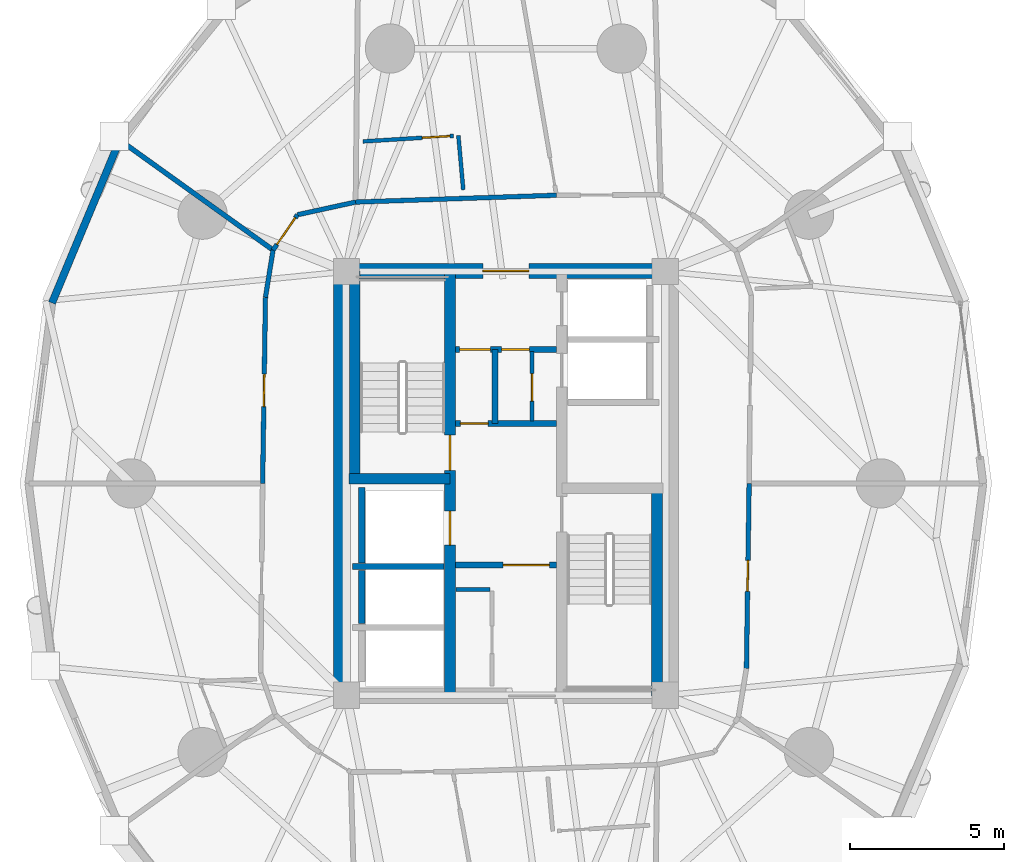
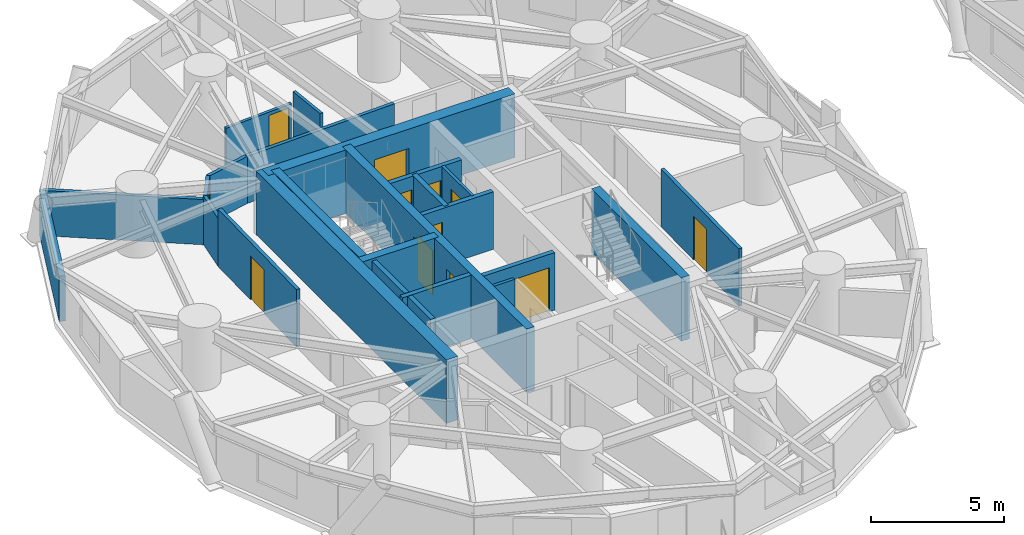
# One storey, part 11 of 19: 25 walls, 12 doors, 12 openings.
"""IFC4 building model written with IfcOpenShell, lengths in metres."""

from ifc_helpers import new_model, si_unit, direction, frame, frame_2d, origin, place, context, subcontext, project, spatial, rectangle, extrude, source, transform, mapped, material, layer, layer_set, type_object, element, fill, save


model = new_model("IFC4")

# Units and contexts
model_context = context("Model", 3, precision=1e-05, world=origin(), true_north=direction((0.0, 1.0)))
body_context = subcontext(model_context, "Body", "Model", "MODEL_VIEW")
ifc_project = project(units=[si_unit("LENGTHUNIT", "METRE"), si_unit("AREAUNIT", "SQUARE_METRE"), si_unit("VOLUMEUNIT", "CUBIC_METRE"), si_unit("PLANEANGLEUNIT", "RADIAN"), si_unit("MASSUNIT", "GRAM", prefix="KILO")], contexts=[model_context])

# Site, building, storey
site_placement = place(None, origin())
site = spatial("IfcSite", under=ifc_project, at=site_placement, CompositionType="ELEMENT")
building_placement = place(site_placement, origin())
building = spatial("IfcBuilding", under=site, at=building_placement, Name="Cununo Teusaquillo Station Towers", CompositionType="ELEMENT")
storey_placement = place(building_placement, frame((0.0, 0.0, 30.72998046875)))
storey = spatial("IfcBuildingStorey", under=building, at=storey_placement, Name="L08", CompositionType="ELEMENT", Elevation=30.72998046875)

# Walls
ifc_material_1 = material(Name="Concrete C50/60", Category="concrete")
ifc_layer_1 = layer(ifc_material_1, 0.199951171875)
ifc_layer_set_1 = layer_set([ifc_layer_1], Name="Concrete C50/60")
wall_type_1 = type_object("IfcWallType", Name="WL-CORE-200", PredefinedType="SHEAR", material=ifc_layer_set_1)
wall_1_placement = place(storey_placement, frame((11.52001953125, 21.800048828125, 0.0), z_axis=(0.0, 0.0, 1.0), x_axis=(1.0, 0.0, 0.0)))
element("IfcWall", 1, at=wall_1_placement, inside=storey, type_object=wall_type_1, Name="L08 Tower A Firefighting Lift Shaft South Shear Wall", PredefinedType="SHEAR", context=body_context, shape_type="SweptSolid", body=[
    extrude(rectangle(XDim=2.969970703125, YDim=0.199951171875, at=frame_2d((1.48486328125, 0.0))), origin(), (0.0, 0.0, 1.0), 2.909912109375),
])
wall_2_placement = place(storey_placement, frame((11.820068359375, 21.919921875, 0.0), z_axis=(0.0, 0.0, 1.0), x_axis=(0.0, 1.0, 0.0)))
element("IfcWall", 2, at=wall_2_placement, inside=storey, type_object=wall_type_1, Name="L08 Tower A Firefighting Lift Shaft Rear Shear Wall", PredefinedType="SHEAR", context=body_context, shape_type="SweptSolid", body=[
    extrude(rectangle(XDim=2.440185546875, YDim=0.199951171875, at=frame_2d((1.22021484375, 0.0))), origin(), (0.0, 0.0, 1.0), 2.909912109375),
])
wall_3_placement = place(storey_placement, frame((11.820068359375, 19.945068359375, 0.0), z_axis=(0.0, 0.0, 1.0), x_axis=(0.0, 1.0, 0.0)))
element("IfcWall", 3, at=wall_3_placement, inside=storey, type_object=wall_type_1, Name="L08 Tower A High-Rise Lift 2 Shaft Rear Shear Wall", PredefinedType="SHEAR", context=body_context, shape_type="SweptSolid", body=[
    extrude(rectangle(XDim=1.73486328125, YDim=0.199951171875, at=frame_2d((0.867431640625, 0.0))), origin(), (0.0, 0.0, 1.0), 2.909912109375),
])

# Wall, openings, doors
ifc_material_2 = material(Name="Concrete C50/60", Category="concrete")
ifc_layer_2 = layer(ifc_material_2, 0.35009765625)
ifc_layer_set_2 = layer_set([ifc_layer_2], Name="Concrete C50/60")
wall_type_2 = type_object("IfcWallType", Name="WL-CORE-350", PredefinedType="SHEAR", material=ifc_layer_set_2)
wall_4_placement = place(storey_placement, frame((14.68505859375, 17.60009765625, 0.0), z_axis=(0.0, 0.0, 1.0), x_axis=(0.0, 1.0, 0.0)))
wall_4 = element("IfcWall", 4, at=wall_4_placement, inside=storey, type_object=wall_type_2, Name="L08 Tower A Core Shear Wall IW", PredefinedType="SHEAR", context=body_context, shape_type="SweptSolid", body=[
    extrude(rectangle(XDim=13.7998046875, YDim=0.35009765625, at=frame_2d((6.89990234375, 0.0))), origin(), (0.0, 0.0, 1.0), 2.909912109375),
])
shared_shape_1 = source(origin(), body_context, "Body", "SweptSolid", [
    extrude(rectangle(XDim=1.10009765625, YDim=2.014892578125, at=frame_2d((0.550048828125, 1.00732421875))), frame((0.0, 0.18505859375, 0.0), z_axis=(0.0, -1.0, 0.0), x_axis=(1.0, 0.0, 0.0)), (0.0, 0.0, 1.0), 0.3701171875),
])
opening_1_placement = place(wall_4_placement, frame((4.89990234375, 0.0, 0.0)))
opening_1 = element("IfcOpeningElement", 5, at=opening_1_placement, cuts=wall_4, Name="Opening LD-01", PredefinedType="OPENING", context=body_context, shape_type="MappedRepresentation", body=[
    mapped(shared_shape_1, transform((0.0, 0.0, 0.0), x_axis=(1.0, 0.0, 0.0), y_axis=(0.0, 1.0, 0.0), z_axis=(0.0, 0.0, 1.0), scale=1.0)),
])
shared_shape_2 = source(origin(), body_context, "Body", "SweptSolid", [
    extrude(rectangle(XDim=1.14990234375, YDim=2.02001953125, at=frame_2d((0.574951171875, 1.010009765625))), frame((0.0, 0.18505859375, 0.0), z_axis=(0.0, -1.0, 0.0), x_axis=(1.0, 0.0, 0.0)), (0.0, 0.0, 1.0), 0.3701171875),
])
opening_2_placement = place(wall_4_placement, frame((7.320068359375, 0.0, 0.0)))
opening_2 = element("IfcOpeningElement", 6, at=opening_2_placement, cuts=wall_4, Name="Opening D-ST1", PredefinedType="OPENING", context=body_context, shape_type="MappedRepresentation", body=[
    mapped(shared_shape_2, transform((0.0, 0.0, 0.0), x_axis=(1.0, 0.0, 0.0), y_axis=(0.0, 1.0, 0.0), z_axis=(0.0, 0.0, 1.0), scale=1.0)),
])
ifc_material_3 = material(Name="Galvanised fire-rated hollow steel door assembly", Category="steel")
door_type_1 = type_object("IfcDoorType", Name="DR-LIFT-1100", OperationType="SLIDING_TO_LEFT", PredefinedType="DOOR", material=ifc_material_3)
shared_shape_3 = source(origin(), body_context, "Body", "SweptSolid", [
    extrude(rectangle(XDim=1.10009765625, YDim=2.014892578125, at=frame_2d((0.550048828125, 1.00732421875))), frame((0.0, 0.02490234375, 0.0), z_axis=(0.0, -1.0, 0.0), x_axis=(1.0, 0.0, 0.0)), (0.0, 0.0, 1.0), 0.050048828125),
])
door_1_placement = place(opening_1_placement, origin())
door_1 = element("IfcDoor", 7, at=door_1_placement, inside=storey, type_object=door_type_1, Name="L08 Lift FL-T1 Sliding Landing Door", OperationType="SLIDING_TO_LEFT", OverallHeight=2.014892578125, OverallWidth=1.10009765625, PredefinedType="DOOR", context=body_context, shape_type="MappedRepresentation", body=[
    mapped(shared_shape_3, transform((0.0, 0.0, 0.0), x_axis=(1.0, 0.0, 0.0), y_axis=(0.0, 1.0, 0.0), z_axis=(0.0, 0.0, 1.0), scale=1.0)),
])
fill(opening_1, door_1)
ifc_material_4 = material(Name="Galvanised fire-rated hollow steel door assembly", Category="steel")
door_type_2 = type_object("IfcDoorType", Name="DR-STAIR-1150", OperationType="NOTDEFINED", PredefinedType="DOOR", material=ifc_material_4)
shared_shape_4 = source(origin(), body_context, "Body", "SweptSolid", [
    extrude(rectangle(XDim=1.14990234375, YDim=2.02001953125, at=frame_2d((0.574951171875, 1.010009765625))), frame((0.0, 0.02490234375, 0.0), z_axis=(0.0, -1.0, 0.0), x_axis=(1.0, 0.0, 0.0)), (0.0, 0.0, 1.0), 0.050048828125),
])
door_2_placement = place(opening_2_placement, origin())
door_2 = element("IfcDoor", 8, at=door_2_placement, inside=storey, type_object=door_type_2, Name="L08 Tower A Exit Stair 1 Fire Door", OperationType="SINGLE_SWING_RIGHT", OverallHeight=2.02001953125, OverallWidth=1.14990234375, PredefinedType="DOOR", context=body_context, shape_type="MappedRepresentation", body=[
    mapped(shared_shape_4, transform((0.0, 0.0, 0.0), x_axis=(1.0, 0.0, 0.0), y_axis=(0.0, 1.0, 0.0), z_axis=(0.0, 0.0, 1.0), scale=1.0)),
])
fill(opening_2, door_2)

# Walls
wall_5_placement = place(storey_placement, frame((11.594970703125, 24.655029296875, 0.0), z_axis=(0.0, 0.0, 1.0), x_axis=(0.0, 1.0, 0.0)))
element("IfcWall", 9, at=wall_5_placement, inside=storey, type_object=wall_type_2, Name="L08 Tower A Core Shear Wall ST1W", PredefinedType="SHEAR", context=body_context, shape_type="SweptSolid", body=[
    extrude(rectangle(XDim=6.744873046875, YDim=0.35009765625, at=frame_2d((3.37255859375, 0.0))), origin(), (0.0, 0.0, 1.0), 2.909912109375),
])
wall_6_placement = place(storey_placement, frame((11.39990234375, 24.655029296875, 0.0), z_axis=(0.0, 0.0, 1.0), x_axis=(1.0, 0.0, 0.0)))
element("IfcWall", 10, at=wall_6_placement, inside=storey, type_object=wall_type_2, Name="L08 Tower A Core Shear Wall ST1S", PredefinedType="SHEAR", context=body_context, shape_type="SweptSolid", body=[
    extrude(rectangle(XDim=3.28515625, YDim=0.35009765625, at=frame_2d((1.642578125, 0.0))), origin(), (0.0, 0.0, 1.0), 2.909912109375),
])
wall_7_placement = place(storey_placement, frame((21.405029296875, 17.60009765625, 0.0), z_axis=(0.0, 0.0, 1.0), x_axis=(0.0, 1.0, 0.0)))
element("IfcWall", 11, at=wall_7_placement, inside=storey, type_object=wall_type_2, Name="L08 Tower A Core Shear Wall ST2E", PredefinedType="SHEAR", context=body_context, shape_type="SweptSolid", body=[
    extrude(rectangle(XDim=6.744873046875, YDim=0.35009765625, at=frame_2d((3.37255859375, 0.0))), origin(), (0.0, 0.0, 1.0), 2.909912109375),
])
ifc_material_5 = material(Name="Concrete C60/75", Category="concrete")
ifc_layer_3 = layer(ifc_material_5, 0.5)
ifc_layer_set_3 = layer_set([ifc_layer_3], Name="Concrete C60/75")
wall_type_3 = type_object("IfcWallType", Name="WL-CORE-500", PredefinedType="SHEAR", material=ifc_layer_set_3)
wall_8_placement = place(storey_placement, frame((11.14990234375, 17.35009765625, 0.0), z_axis=(0.0, 0.0, 1.0), x_axis=(0.0, 1.0, 0.0)))
element("IfcWall", 12, at=wall_8_placement, inside=storey, type_object=wall_type_3, Name="L08 Tower A Core Shear Wall W", PredefinedType="SHEAR", context=body_context, shape_type="SweptSolid", body=[
    extrude(rectangle(XDim=14.2998046875, YDim=0.5, at=frame_2d((7.14990234375, 0.0))), origin(), (0.0, 0.0, 1.0), 2.909912109375),
])

# Wall, opening, door
wall_9_placement = place(storey_placement, frame((11.14990234375, 31.39990234375, 0.0), z_axis=(0.0, 0.0, 1.0), x_axis=(1.0, 0.0, 0.0)))
wall_9 = element("IfcWall", 13, at=wall_9_placement, inside=storey, type_object=wall_type_3, Name="L08 Tower A Core Shear Wall N", PredefinedType="SHEAR", context=body_context, shape_type="SweptSolid", body=[
    extrude(rectangle(XDim=10.7001953125, YDim=0.5, at=frame_2d((5.35009765625, 0.0))), origin(), (0.0, 0.0, 1.0), 2.909912109375),
])
shared_shape_5 = source(origin(), body_context, "Body", "SweptSolid", [
    extrude(rectangle(XDim=1.5, YDim=2.02001953125, at=frame_2d((0.75, 1.010009765625))), frame((0.0, 0.260009765625, 0.0), z_axis=(0.0, -1.0, 0.0), x_axis=(1.0, 0.0, 0.0)), (0.0, 0.0, 1.0), 0.52001953125),
])
opening_3_placement = place(wall_9_placement, frame((4.60009765625, 0.0, 0.0)))
opening_3 = element("IfcOpeningElement", 14, at=opening_3_placement, cuts=wall_9, Name="Opening D-LB1", PredefinedType="OPENING", context=body_context, shape_type="MappedRepresentation", body=[
    mapped(shared_shape_5, transform((0.0, 0.0, 0.0), x_axis=(1.0, 0.0, 0.0), y_axis=(0.0, 1.0, 0.0), z_axis=(0.0, 0.0, 1.0), scale=1.0)),
])
ifc_material_6 = material(Name="Galvanised fire-rated hollow steel door assembly", Category="steel")
door_type_3 = type_object("IfcDoorType", Name="DR-LOBBY-1500", OperationType="DOUBLE_DOOR_SINGLE_SWING", PredefinedType="DOOR", material=ifc_material_6)
shared_shape_6 = source(origin(), body_context, "Body", "SweptSolid", [
    extrude(rectangle(XDim=1.5, YDim=2.02001953125, at=frame_2d((0.75, 1.010009765625))), frame((0.0, 0.02490234375, 0.0), z_axis=(0.0, -1.0, 0.0), x_axis=(1.0, 0.0, 0.0)), (0.0, 0.0, 1.0), 0.050048828125),
])
door_3_placement = place(opening_3_placement, origin())
door_3 = element("IfcDoor", 15, at=door_3_placement, inside=storey, type_object=door_type_3, Name="L08 Tower A North Core Lift Lobby Door", OperationType="DOUBLE_DOOR_SINGLE_SWING", OverallHeight=2.02001953125, OverallWidth=1.5, PredefinedType="DOOR", context=body_context, shape_type="MappedRepresentation", body=[
    mapped(shared_shape_6, transform((0.0, 0.0, 0.0), x_axis=(1.0, 0.0, 0.0), y_axis=(0.0, 1.0, 0.0), z_axis=(0.0, 0.0, 1.0), scale=1.0)),
])
fill(opening_3, door_3)

# Walls
ifc_material_7 = material(Name="Precast concrete C40/50", Category="concrete")
ifc_layer_4 = layer(ifc_material_7, 0.239990234375)
ifc_layer_set_4 = layer_set([ifc_layer_4], Name="Precast concrete C40/50")
wall_type_4 = type_object("IfcWallType", Name="WL-EXT-240", PredefinedType="SOLIDWALL", material=ifc_layer_set_4)
wall_10_placement = place(storey_placement, frame((1.759521484375, 30.362060546875, 0.0), z_axis=(0.0, 0.0, 1.0), x_axis=(0.38430970593, 0.923204229804, 0.0)))
element("IfcWall", 16, at=wall_10_placement, inside=storey, type_object=wall_type_4, Name="L08 Tower A Exterior Facade Wall C08", PredefinedType="SOLIDWALL", context=body_context, shape_type="SweptSolid", body=[
    extrude(rectangle(XDim=5.728271484375, YDim=0.239990234375, at=frame_2d((2.8642578125, 0.0))), origin(), (0.0, 0.0, 1.0), 2.072998046875),
])
ifc_material_8 = material(Name="Fire-rated gypsum plasterboard partition assembly", Category="gypsum")
ifc_layer_5 = layer(ifc_material_8, 0.125)
ifc_layer_set_5 = layer_set([ifc_layer_5], Name="Fire-rated gypsum plasterboard partition assembly")
wall_type_5 = type_object("IfcWallType", Name="WL-PART-125", PredefinedType="PARTITIONING", material=ifc_layer_set_5)
wall_11_placement = place(storey_placement, frame((14.8798828125, 21.050048828125, 0.0), z_axis=(0.0, 0.0, 1.0), x_axis=(1.0, 0.0, 0.0)))
element("IfcWall", 17, at=wall_11_placement, inside=storey, type_object=wall_type_5, Name="L08 Tower A South-West Tall Store North Wall", PredefinedType="PARTITIONING", context=body_context, shape_type="SweptSolid", body=[
    extrude(rectangle(XDim=1.10009765625, YDim=0.125, at=frame_2d((0.550048828125, 0.0))), origin(), (0.0, 0.0, 1.0), 2.635009765625),
])

# Wall, opening, door
wall_12_placement = place(storey_placement, frame((17.35009765625, 26.52001953125, 0.0), z_axis=(0.0, 0.0, 1.0), x_axis=(0.0, 1.0, 0.0)))
wall_12 = element("IfcWall", 18, at=wall_12_placement, inside=storey, type_object=wall_type_5, Name="L08 Tower A Core Vertical Split Wall", PredefinedType="PARTITIONING", context=body_context, shape_type="SweptSolid", body=[
    extrude(rectangle(XDim=2.260009765625, YDim=0.125, at=frame_2d((1.1298828125, 0.0))), origin(), (0.0, 0.0, 1.0), 2.635009765625),
])
shared_shape_7 = source(origin(), body_context, "Body", "SweptSolid", [
    extrude(rectangle(XDim=0.89990234375, YDim=2.0048828125, at=frame_2d((0.449951171875, 1.00244140625))), frame((0.0, 0.072509765625, 0.0), z_axis=(0.0, -1.0, 0.0), x_axis=(1.0, 0.0, 0.0)), (0.0, 0.0, 1.0), 0.14501953125),
])
opening_4_placement = place(wall_12_placement, frame((0.64990234375, 0.0, 0.0)))
opening_4 = element("IfcOpeningElement", 19, at=opening_4_placement, cuts=wall_12, Name="Opening D-SR1", PredefinedType="OPENING", context=body_context, shape_type="MappedRepresentation", body=[
    mapped(shared_shape_7, transform((0.0, 0.0, 0.0), x_axis=(1.0, 0.0, 0.0), y_axis=(0.0, 1.0, 0.0), z_axis=(0.0, 0.0, 1.0), scale=1.0)),
])
ifc_material_9 = material(Name="Galvanised fire-rated hollow steel door assembly", Category="steel")
door_type_4 = type_object("IfcDoorType", Name="DR-STORE-900", OperationType="NOTDEFINED", PredefinedType="DOOR", material=ifc_material_9)
shared_shape_8 = source(origin(), body_context, "Body", "SweptSolid", [
    extrude(rectangle(XDim=0.89990234375, YDim=2.0048828125, at=frame_2d((0.449951171875, 1.00244140625))), frame((0.0, 0.02490234375, 0.0), z_axis=(0.0, -1.0, 0.0), x_axis=(1.0, 0.0, 0.0)), (0.0, 0.0, 1.0), 0.050048828125),
])
door_4_placement = place(opening_4_placement, origin())
door_4 = element("IfcDoor", 20, at=door_4_placement, inside=storey, type_object=door_type_4, Name="L08 Tower A Core Electrical Room Door", OperationType="SINGLE_SWING_RIGHT", OverallHeight=2.0048828125, OverallWidth=0.89990234375, PredefinedType="DOOR", context=body_context, shape_type="MappedRepresentation", body=[
    mapped(shared_shape_8, transform((0.0, 0.0, 0.0), x_axis=(1.0, 0.0, 0.0), y_axis=(0.0, 1.0, 0.0), z_axis=(0.0, 0.0, 1.0), scale=1.0)),
])
fill(opening_4, door_4)

# Wall
wall_13_placement = place(storey_placement, frame((15.116943359375, 34.03515625, 0.0), z_axis=(0.0, 0.0, 1.0), x_axis=(-0.090498430303, 0.995896598103, 0.0)))
element("IfcWall", 21, at=wall_13_placement, inside=storey, type_object=wall_type_5, Name="L08 Tower A S03 En-suite Side Wall", PredefinedType="PARTITIONING", context=body_context, shape_type="SweptSolid", body=[
    extrude(rectangle(XDim=1.769775390625, YDim=0.125, at=frame_2d((0.884765625, 0.0))), origin(), (0.0, 0.0, 1.0), 2.635009765625),
])

# Wall, opening, door
wall_14_placement = place(storey_placement, frame((14.80322265625, 35.7880859375, 0.0), z_axis=(0.0, 0.0, 1.0), x_axis=(-0.998116078946, -0.06135383403, 0.0)))
wall_14 = element("IfcWall", 22, at=wall_14_placement, inside=storey, type_object=wall_type_5, Name="L08 Tower A S03 En-suite Back Wall", PredefinedType="PARTITIONING", context=body_context, shape_type="SweptSolid", body=[
    extrude(rectangle(XDim=2.95263671875, YDim=0.125, at=frame_2d((1.476318359375, 0.0))), origin(), (0.0, 0.0, 1.0), 2.158935546875),
])
opening_5_placement = place(wall_14_placement, frame((0.1201171875, 0.0, 0.0)))
opening_5 = element("IfcOpeningElement", 23, at=opening_5_placement, cuts=wall_14, Name="Opening D-IN1", PredefinedType="OPENING", context=body_context, shape_type="MappedRepresentation", body=[
    mapped(shared_shape_7, transform((0.0, 0.0, 0.0), x_axis=(1.0, 0.0, 0.0), y_axis=(0.0, 1.0, 0.0), z_axis=(0.0, 0.0, 1.0), scale=1.0)),
])
ifc_material_10 = material(Name="Acoustic solid-core hardwood leaf assembly", Category="wood")
door_type_5 = type_object("IfcDoorType", Name="DR-INT-900", OperationType="NOTDEFINED", PredefinedType="DOOR", material=ifc_material_10)
door_5_placement = place(opening_5_placement, origin())
door_5 = element("IfcDoor", 24, at=door_5_placement, inside=storey, type_object=door_type_5, Name="L08 Tower A S03 En-suite Bathroom Door", OperationType="SINGLE_SWING_RIGHT", OverallHeight=2.0048828125, OverallWidth=0.89990234375, PredefinedType="DOOR", context=body_context, shape_type="MappedRepresentation", body=[
    mapped(shared_shape_8, transform((0.0, 0.0, 0.0), x_axis=(1.0, 0.0, 0.0), y_axis=(0.0, 1.0, 0.0), z_axis=(0.0, 0.0, 1.0), scale=1.0)),
])
fill(opening_5, door_5)

# Walls
ifc_material_11 = material(Name="Fire-rated gypsum plasterboard partition assembly", Category="gypsum")
ifc_layer_6 = layer(ifc_material_11, 0.14990234375)
ifc_layer_set_6 = layer_set([ifc_layer_6], Name="Fire-rated gypsum plasterboard partition assembly")
wall_type_6 = type_object("IfcWallType", Name="WL-PART-150", PredefinedType="PARTITIONING", material=ifc_layer_set_6)
wall_15_placement = place(storey_placement, frame((18.142822265625, 33.859619140625, 0.0), z_axis=(0.0, 0.0, 1.0), x_axis=(-0.999419208319, -0.034077060363, 0.0)))
element("IfcWall", 25, at=wall_15_placement, inside=storey, type_object=wall_type_6, Name="L08 Tower A Corridor Ring Wall C05", PredefinedType="PARTITIONING", context=body_context, shape_type="SweptSolid", body=[
    extrude(rectangle(XDim=6.52685546875, YDim=0.14990234375, at=frame_2d((3.263427734375, 0.0))), origin(), (0.0, 0.0, 1.0), 2.158935546875),
])
wall_16_placement = place(storey_placement, frame((11.619873046875, 33.63720703125, 0.0), z_axis=(0.0, 0.0, 1.0), x_axis=(-0.97702579435, -0.213121085711, 0.0)))
element("IfcWall", 26, at=wall_16_placement, inside=storey, type_object=wall_type_6, Name="L08 Tower A Corridor Ring Wall C06", PredefinedType="PARTITIONING", context=body_context, shape_type="SweptSolid", body=[
    extrude(rectangle(XDim=1.934814453125, YDim=0.14990234375, at=frame_2d((0.96728515625, 0.0))), origin(), (0.0, 0.0, 1.0), 2.158935546875),
])

# Wall, opening, door
wall_17_placement = place(storey_placement, frame((9.7294921875, 33.224853515625, 0.0), z_axis=(0.0, 0.0, 1.0), x_axis=(-0.567183649484, -0.82359134755, 0.0)))
wall_17 = element("IfcWall", 27, at=wall_17_placement, inside=storey, type_object=wall_type_6, Name="L08 Tower A Corridor Ring Wall C07", PredefinedType="PARTITIONING", context=body_context, shape_type="SweptSolid", body=[
    extrude(rectangle(XDim=1.39208984375, YDim=0.14990234375, at=frame_2d((0.696044921875, 0.0))), origin(), (0.0, 0.0, 1.0), 2.158935546875),
])
shared_shape_9 = source(origin(), body_context, "Body", "SweptSolid", [
    extrude(rectangle(XDim=1.050048828125, YDim=2.014892578125, at=frame_2d((0.52490234375, 1.00732421875))), frame((0.0, 0.0849609375, 0.0), z_axis=(0.0, -1.0, 0.0), x_axis=(1.0, 0.0, 0.0)), (0.0, 0.0, 1.0), 0.169921875),
])
opening_6_placement = place(wall_17_placement, frame((0.1201171875, 0.0, 0.0)))
opening_6 = element("IfcOpeningElement", 28, at=opening_6_placement, cuts=wall_17, Name="Opening D-SU1", PredefinedType="OPENING", context=body_context, shape_type="MappedRepresentation", body=[
    mapped(shared_shape_9, transform((0.0, 0.0, 0.0), x_axis=(1.0, 0.0, 0.0), y_axis=(0.0, 1.0, 0.0), z_axis=(0.0, 0.0, 1.0), scale=1.0)),
])
ifc_material_12 = material(Name="Acoustic solid-core hardwood leaf assembly", Category="wood")
door_type_6 = type_object("IfcDoorType", Name="DR-SUITE-1050", OperationType="NOTDEFINED", PredefinedType="DOOR", material=ifc_material_12)
shared_shape_10 = source(origin(), body_context, "Body", "SweptSolid", [
    extrude(rectangle(XDim=1.050048828125, YDim=2.014892578125, at=frame_2d((0.52490234375, 1.00732421875))), frame((0.0, 0.02490234375, 0.0), z_axis=(0.0, -1.0, 0.0), x_axis=(1.0, 0.0, 0.0)), (0.0, 0.0, 1.0), 0.050048828125),
])
door_6_placement = place(opening_6_placement, origin())
door_6 = element("IfcDoor", 29, at=door_6_placement, inside=storey, type_object=door_type_6, Name="L08 Tower A Hotel Executive Meeting Room Entrance Door", OperationType="SINGLE_SWING_LEFT", OverallHeight=2.014892578125, OverallWidth=1.050048828125, PredefinedType="DOOR", context=body_context, shape_type="MappedRepresentation", body=[
    mapped(shared_shape_10, transform((0.0, 0.0, 0.0), x_axis=(1.0, 0.0, 0.0), y_axis=(0.0, 1.0, 0.0), z_axis=(0.0, 0.0, 1.0), scale=1.0)),
])
fill(opening_6, door_6)

# Wall
wall_18_placement = place(storey_placement, frame((8.93994140625, 32.078369140625, 0.0), z_axis=(0.0, 0.0, 1.0), x_axis=(-0.159148467753, -0.98725466077, 0.0)))
element("IfcWall", 30, at=wall_18_placement, inside=storey, type_object=wall_type_6, Name="L08 Tower A Corridor Ring Wall C08", PredefinedType="PARTITIONING", context=body_context, shape_type="SweptSolid", body=[
    extrude(rectangle(XDim=1.553955078125, YDim=0.14990234375, at=frame_2d((0.77685546875, 0.0))), origin(), (0.0, 0.0, 1.0), 2.205078125),
])

# Wall, opening, door
wall_19_placement = place(storey_placement, frame((8.692626953125, 30.544189453125, 0.0), z_axis=(0.0, 0.0, 1.0), x_axis=(-0.015307007986, -0.99988284089, 0.0)))
wall_19 = element("IfcWall", 31, at=wall_19_placement, inside=storey, type_object=wall_type_6, Name="L08 Tower A Corridor Ring Wall C09", PredefinedType="PARTITIONING", context=body_context, shape_type="SweptSolid", body=[
    extrude(rectangle(XDim=6.044921875, YDim=0.14990234375, at=frame_2d((3.0224609375, 0.0))), origin(), (0.0, 0.0, 1.0), 2.635009765625),
])
opening_7_placement = place(wall_19_placement, frame((2.497314453125, 0.0, 0.0)))
opening_7 = element("IfcOpeningElement", 32, at=opening_7_placement, cuts=wall_19, Name="Opening D-SU1", PredefinedType="OPENING", context=body_context, shape_type="MappedRepresentation", body=[
    mapped(shared_shape_9, transform((0.0, 0.0, 0.0), x_axis=(1.0, 0.0, 0.0), y_axis=(0.0, 1.0, 0.0), z_axis=(0.0, 0.0, 1.0), scale=1.0)),
])
door_7_placement = place(opening_7_placement, origin())
door_7 = element("IfcDoor", 33, at=door_7_placement, inside=storey, type_object=door_type_6, Name="L08 Tower A Hotel Wellness & Fitness Salon Entrance Door", OperationType="SINGLE_SWING_RIGHT", OverallHeight=2.014892578125, OverallWidth=1.050048828125, PredefinedType="DOOR", context=body_context, shape_type="MappedRepresentation", body=[
    mapped(shared_shape_10, transform((0.0, 0.0, 0.0), x_axis=(1.0, 0.0, 0.0), y_axis=(0.0, 1.0, 0.0), z_axis=(0.0, 0.0, 1.0), scale=1.0)),
])
fill(opening_7, door_7)

wall_20_placement = place(storey_placement, frame((24.3134765625, 18.496337890625, 0.0), z_axis=(0.0, 0.0, 1.0), x_axis=(0.014394019188, 0.999896400739, 0.0)))
wall_20 = element("IfcWall", 34, at=wall_20_placement, inside=storey, type_object=wall_type_6, Name="L08 Tower A Corridor Ring Wall C19", PredefinedType="PARTITIONING", context=body_context, shape_type="SweptSolid", body=[
    extrude(rectangle(XDim=6.00439453125, YDim=0.14990234375, at=frame_2d((3.002197265625, 0.0))), origin(), (0.0, 0.0, 1.0), 2.635009765625),
])
shared_shape_11 = source(origin(), body_context, "Body", "SweptSolid", [
    extrude(rectangle(XDim=1.0, YDim=2.014892578125, at=frame_2d((0.5, 1.00732421875))), frame((0.0, 0.0849609375, 0.0), z_axis=(0.0, -1.0, 0.0), x_axis=(1.0, 0.0, 0.0)), (0.0, 0.0, 1.0), 0.169921875),
])
opening_8_placement = place(wall_20_placement, frame((2.502197265625, 0.0, 0.0)))
opening_8 = element("IfcOpeningElement", 35, at=opening_8_placement, cuts=wall_20, Name="Opening D-AC1", PredefinedType="OPENING", context=body_context, shape_type="MappedRepresentation", body=[
    mapped(shared_shape_11, transform((0.0, 0.0, 0.0), x_axis=(1.0, 0.0, 0.0), y_axis=(0.0, 1.0, 0.0), z_axis=(0.0, 0.0, 1.0), scale=1.0)),
])
ifc_material_13 = material(Name="Acoustic solid-core hardwood leaf assembly", Category="wood")
door_type_7 = type_object("IfcDoorType", Name="DR-ACC-1000", OperationType="NOTDEFINED", PredefinedType="DOOR", material=ifc_material_13)
shared_shape_12 = source(origin(), body_context, "Body", "SweptSolid", [
    extrude(rectangle(XDim=1.0, YDim=2.014892578125, at=frame_2d((0.5, 1.00732421875))), frame((0.0, 0.02490234375, 0.0), z_axis=(0.0, -1.0, 0.0), x_axis=(1.0, 0.0, 0.0)), (0.0, 0.0, 1.0), 0.050048828125),
])
door_8_placement = place(opening_8_placement, origin())
door_8 = element("IfcDoor", 36, at=door_8_placement, inside=storey, type_object=door_type_7, Name="L08 Tower A Public Accessible Restroom WC Entrance Door", OperationType="SINGLE_SWING_RIGHT", OverallHeight=2.014892578125, OverallWidth=1.0, PredefinedType="DOOR", context=body_context, shape_type="MappedRepresentation", body=[
    mapped(shared_shape_12, transform((0.0, 0.0, 0.0), x_axis=(1.0, 0.0, 0.0), y_axis=(0.0, 1.0, 0.0), z_axis=(0.0, 0.0, 1.0), scale=1.0)),
])
fill(opening_8, door_8)

# Wall
ifc_material_14 = material(Name="Fire-rated gypsum plasterboard partition assembly", Category="gypsum")
ifc_layer_7 = layer(ifc_material_14, 0.159912109375)
ifc_layer_set_7 = layer_set([ifc_layer_7], Name="Fire-rated gypsum plasterboard partition assembly")
wall_type_7 = type_object("IfcWallType", Name="WL-PART-160", PredefinedType="PARTITIONING", material=ifc_layer_set_7)
wall_21_placement = place(storey_placement, frame((8.93994140625, 32.078369140625, 0.0), z_axis=(0.0, 0.0, 1.0), x_axis=(-0.812546070691, 0.582896974606, 0.0)))
element("IfcWall", 37, at=wall_21_placement, inside=storey, type_object=wall_type_7, Name="L08 Tower A Radial Suite Partition R05", PredefinedType="PARTITIONING", context=body_context, shape_type="SweptSolid", body=[
    extrude(rectangle(XDim=6.107421875, YDim=0.159912109375, at=frame_2d((3.0537109375, 0.0))), origin(), (0.0, 0.0, 1.0), 2.072998046875),
])

# Wall, opening, door
ifc_material_15 = material(Name="Fire-rated gypsum plasterboard partition assembly", Category="gypsum")
ifc_layer_8 = layer(ifc_material_15, 0.199951171875)
ifc_layer_set_8 = layer_set([ifc_layer_8], Name="Fire-rated gypsum plasterboard partition assembly")
wall_type_8 = type_object("IfcWallType", Name="WL-PART-200", PredefinedType="PARTITIONING", material=ifc_layer_set_8)
wall_22_placement = place(storey_placement, frame((14.860107421875, 21.85009765625, 0.0), z_axis=(0.0, 0.0, 1.0), x_axis=(1.0, 0.0, 0.0)))
wall_22 = element("IfcWall", 38, at=wall_22_placement, inside=storey, type_object=wall_type_8, Name="L08 Tower A Firefighting Lift Lobby South Fire Wall", PredefinedType="PARTITIONING", context=body_context, shape_type="SweptSolid", body=[
    extrude(rectangle(XDim=3.27978515625, YDim=0.199951171875, at=frame_2d((1.639892578125, 0.0))), origin(), (0.0, 0.0, 1.0), 2.635009765625),
])
shared_shape_13 = source(origin(), body_context, "Body", "SweptSolid", [
    extrude(rectangle(XDim=1.5, YDim=2.02001953125, at=frame_2d((0.75, 1.010009765625))), frame((0.0, 0.10986328125, 0.0), z_axis=(0.0, -1.0, 0.0), x_axis=(1.0, 0.0, 0.0)), (0.0, 0.0, 1.0), 0.219970703125),
])
opening_9_placement = place(wall_22_placement, frame((1.550048828125, 0.0, 0.0)))
opening_9 = element("IfcOpeningElement", 39, at=opening_9_placement, cuts=wall_22, Name="Opening D-LB1", PredefinedType="OPENING", context=body_context, shape_type="MappedRepresentation", body=[
    mapped(shared_shape_13, transform((0.0, 0.0, 0.0), x_axis=(1.0, 0.0, 0.0), y_axis=(0.0, 1.0, 0.0), z_axis=(0.0, 0.0, 1.0), scale=1.0)),
])
door_9_placement = place(opening_9_placement, origin())
door_9 = element("IfcDoor", 40, at=door_9_placement, inside=storey, type_object=door_type_3, Name="L08 Tower A Firefighting Lift Lobby South Fire Door", OperationType="DOUBLE_DOOR_SINGLE_SWING", OverallHeight=2.02001953125, OverallWidth=1.5, PredefinedType="DOOR", context=body_context, shape_type="MappedRepresentation", body=[
    mapped(shared_shape_6, transform((0.0, 0.0, 0.0), x_axis=(1.0, 0.0, 0.0), y_axis=(0.0, 1.0, 0.0), z_axis=(0.0, 0.0, 1.0), scale=1.0)),
])
fill(opening_9, door_9)

wall_23_placement = place(storey_placement, frame((14.860107421875, 26.449951171875, 0.0), z_axis=(0.0, 0.0, 1.0), x_axis=(1.0, 0.0, 0.0)))
wall_23 = element("IfcWall", 41, at=wall_23_placement, inside=storey, type_object=wall_type_8, Name="L08 Tower A Firefighting Lift Lobby North Fire Wall", PredefinedType="PARTITIONING", context=body_context, shape_type="SweptSolid", body=[
    extrude(rectangle(XDim=3.27978515625, YDim=0.199951171875, at=frame_2d((1.639892578125, 0.0))), origin(), (0.0, 0.0, 1.0), 2.635009765625),
])
shared_shape_14 = source(origin(), body_context, "Body", "SweptSolid", [
    extrude(rectangle(XDim=0.89990234375, YDim=2.0048828125, at=frame_2d((0.449951171875, 1.00244140625))), frame((0.0, 0.10986328125, 0.0), z_axis=(0.0, -1.0, 0.0), x_axis=(1.0, 0.0, 0.0)), (0.0, 0.0, 1.0), 0.219970703125),
])
opening_10_placement = place(wall_23_placement, frame((0.159912109375, 0.0, 0.0)))
opening_10 = element("IfcOpeningElement", 42, at=opening_10_placement, cuts=wall_23, Name="Opening D-SR1", PredefinedType="OPENING", context=body_context, shape_type="MappedRepresentation", body=[
    mapped(shared_shape_14, transform((0.0, 0.0, 0.0), x_axis=(1.0, 0.0, 0.0), y_axis=(0.0, 1.0, 0.0), z_axis=(0.0, 0.0, 1.0), scale=1.0)),
])
door_10_placement = place(opening_10_placement, origin())
door_10 = element("IfcDoor", 43, at=door_10_placement, inside=storey, type_object=door_type_4, Name="L08 Tower A Stair 1 Protected Vestibule South Door", OperationType="SINGLE_SWING_RIGHT", OverallHeight=2.0048828125, OverallWidth=0.89990234375, PredefinedType="DOOR", context=body_context, shape_type="MappedRepresentation", body=[
    mapped(shared_shape_8, transform((0.0, 0.0, 0.0), x_axis=(1.0, 0.0, 0.0), y_axis=(0.0, 1.0, 0.0), z_axis=(0.0, 0.0, 1.0), scale=1.0)),
])
fill(opening_10, door_10)

# Wall
wall_24_placement = place(storey_placement, frame((16.14990234375, 26.449951171875, 0.0), z_axis=(0.0, 0.0, 1.0), x_axis=(0.0, 1.0, 0.0)))
element("IfcWall", 44, at=wall_24_placement, inside=storey, type_object=wall_type_8, Name="L08 Tower A Stair 1 Vestibule Partition Wall", PredefinedType="PARTITIONING", context=body_context, shape_type="SweptSolid", body=[
    extrude(rectangle(XDim=2.400146484375, YDim=0.199951171875, at=frame_2d((1.2001953125, 0.0))), origin(), (0.0, 0.0, 1.0), 2.635009765625),
])

# Wall, openings, doors
wall_25_placement = place(storey_placement, frame((14.860107421875, 28.85009765625, 0.0), z_axis=(0.0, 0.0, 1.0), x_axis=(1.0, 0.0, 0.0)))
wall_25 = element("IfcWall", 45, at=wall_25_placement, inside=storey, type_object=wall_type_8, Name="L08 Tower A North Lift Lobby South Fire Wall", PredefinedType="PARTITIONING", context=body_context, shape_type="SweptSolid", body=[
    extrude(rectangle(XDim=3.27978515625, YDim=0.199951171875, at=frame_2d((1.639892578125, 0.0))), origin(), (0.0, 0.0, 1.0), 2.635009765625),
])
shared_shape_15 = source(origin(), body_context, "Body", "SweptSolid", [
    extrude(rectangle(XDim=1.0, YDim=2.014892578125, at=frame_2d((0.5, 1.00732421875))), frame((0.0, 0.10986328125, 0.0), z_axis=(0.0, -1.0, 0.0), x_axis=(1.0, 0.0, 0.0)), (0.0, 0.0, 1.0), 0.219970703125),
])
opening_11_placement = place(wall_25_placement, frame((0.139892578125, 0.0, 0.0)))
opening_11 = element("IfcOpeningElement", 46, at=opening_11_placement, cuts=wall_25, Name="Opening D-AC1", PredefinedType="OPENING", context=body_context, shape_type="MappedRepresentation", body=[
    mapped(shared_shape_15, transform((0.0, 0.0, 0.0), x_axis=(1.0, 0.0, 0.0), y_axis=(0.0, 1.0, 0.0), z_axis=(0.0, 0.0, 1.0), scale=1.0)),
])
opening_12_placement = place(wall_25_placement, frame((1.5, 0.0, 0.0)))
opening_12 = element("IfcOpeningElement", 47, at=opening_12_placement, cuts=wall_25, Name="Opening D-SR1", PredefinedType="OPENING", context=body_context, shape_type="MappedRepresentation", body=[
    mapped(shared_shape_14, transform((0.0, 0.0, 0.0), x_axis=(1.0, 0.0, 0.0), y_axis=(0.0, 1.0, 0.0), z_axis=(0.0, 0.0, 1.0), scale=1.0)),
])
door_11_placement = place(opening_12_placement, origin())
door_11 = element("IfcDoor", 48, at=door_11_placement, inside=storey, type_object=door_type_4, Name="L08 Tower A Core Housekeeping Store Door", OperationType="SINGLE_SWING_LEFT", OverallHeight=2.0048828125, OverallWidth=0.89990234375, PredefinedType="DOOR", context=body_context, shape_type="MappedRepresentation", body=[
    mapped(shared_shape_8, transform((0.0, 0.0, 0.0), x_axis=(1.0, 0.0, 0.0), y_axis=(0.0, 1.0, 0.0), z_axis=(0.0, 0.0, 1.0), scale=1.0)),
])
fill(opening_12, door_11)
door_12_placement = place(opening_11_placement, origin())
door_12 = element("IfcDoor", 49, at=door_12_placement, inside=storey, type_object=door_type_7, Name="L08 Tower A North Lift Lobby to Stair 1 Vestibule Door", OperationType="SINGLE_SWING_LEFT", OverallHeight=2.014892578125, OverallWidth=1.0, PredefinedType="DOOR", context=body_context, shape_type="MappedRepresentation", body=[
    mapped(shared_shape_12, transform((0.0, 0.0, 0.0), x_axis=(1.0, 0.0, 0.0), y_axis=(0.0, 1.0, 0.0), z_axis=(0.0, 0.0, 1.0), scale=1.0)),
])
fill(opening_11, door_12)

save(model, "model.ifc")
